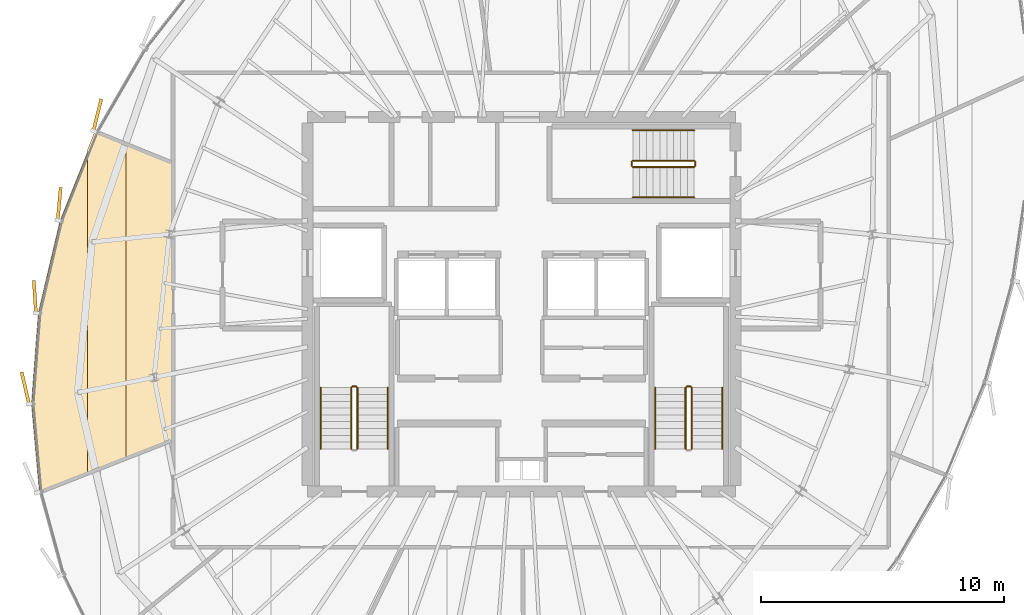
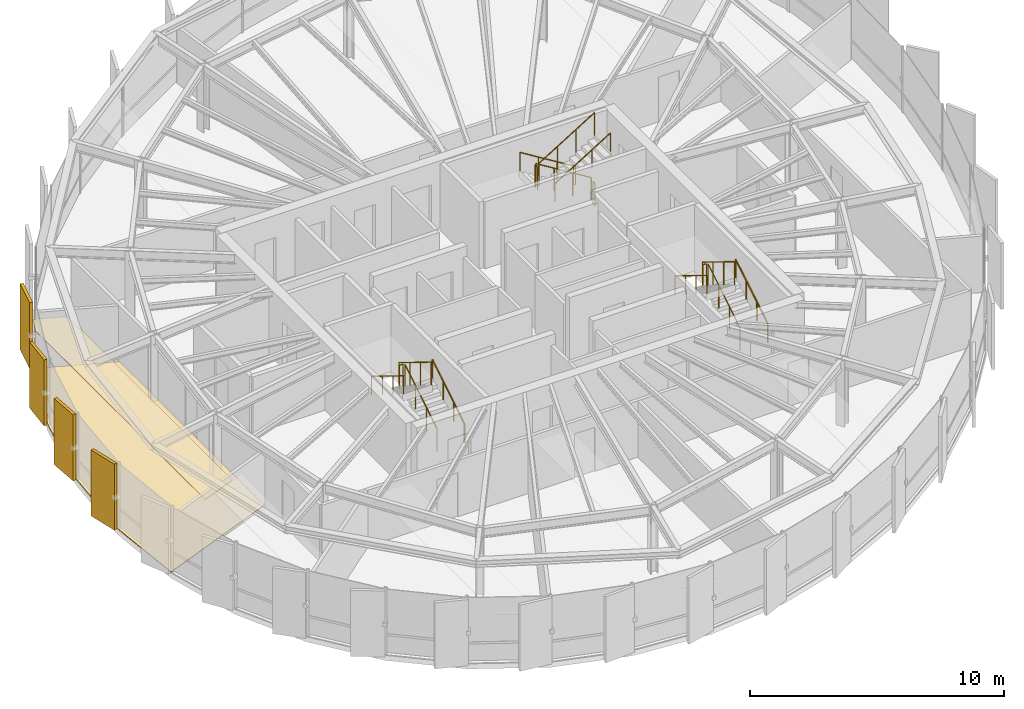
# One storey, part 33 of 34: 16 railings, 6 coverings.
"""IFC4 building model written with IfcOpenShell, lengths in metres."""

from ifc_helpers import new_model, si_unit, direction, frame, origin, origin_2d, place, context, subcontext, project, spatial, polyline, rectangle, circle, outline, extrude, source, transform, mapped, material, layer, layer_set, type_object, element, save


model = new_model("IFC4")

# Units and contexts
model_context = context("Model", 3, precision=1e-05, world=origin(), true_north=direction((0.0, 1.0)))
body_context = subcontext(model_context, "Body", "Model", "MODEL_VIEW")
ifc_project = project(units=[si_unit("LENGTHUNIT", "METRE"), si_unit("AREAUNIT", "SQUARE_METRE"), si_unit("VOLUMEUNIT", "CUBIC_METRE"), si_unit("PLANEANGLEUNIT", "RADIAN"), si_unit("MASSUNIT", "GRAM", prefix="KILO"), si_unit("THERMODYNAMICTEMPERATUREUNIT", "KELVIN")], contexts=[model_context])

# Site, building, storey
site_placement = place(None, origin())
site = spatial("IfcSite", under=ifc_project, at=site_placement, CompositionType="ELEMENT")
building_placement = place(site_placement, origin())
building = spatial("IfcBuilding", under=site, at=building_placement, Name="Kethvar Cultural Tower", CompositionType="ELEMENT")
storey_placement = place(building_placement, frame((0.0, 0.0, 259.449951171875)))
storey = spatial("IfcBuildingStorey", under=building, at=storey_placement, Name="L68", CompositionType="ELEMENT", Elevation=259.449951171875)

# Coverings
ifc_material_1 = material(Name="Acoustic Mineral Fibre Ceiling")
ifc_layer_1 = layer(ifc_material_1, 0.0400390625, Name="Acoustic Mineral Fibre Ceiling")
ifc_layer_set_1 = layer_set([ifc_layer_1], Name="Acoustic Mineral Fibre Ceiling (40 mm)")
covering_type_1 = type_object("IfcCoveringType", Name="CV-ACOUSTIC-CEIL", PredefinedType="CEILING", material=ifc_layer_set_1)
covering_1_placement = place(storey_placement, frame((0.0, 0.0, 2.340087890625)))
element("IfcCovering", 1, at=covering_1_placement, inside=storey, type_object=covering_type_1, Name="L68 Room 10 Acoustic Ceiling Panel", PredefinedType="CEILING", context=body_context, shape_type="SweptSolid", body=[
    extrude(outline(polyline([(29.24560546875, 34.9140625), (30.53125, 34.414794921875), (30.53125, 21.443115234375), (28.94140625, 20.823974609375), (28.94140625, 34.1533203125), (29.24560546875, 34.9140625)])), origin(), (0.0, 0.0, 1.0), 0.0400390625),
])
ifc_material_2 = material(Name="Honed Warm Limestone", Category="masonry")
ifc_layer_2 = layer(ifc_material_2, 0.030029296875, Name="Honed Warm Limestone", Category="masonry")
ifc_layer_set_2 = layer_set([ifc_layer_2], Name="Honed Warm Limestone (30 mm)")
covering_type_2 = type_object("IfcCoveringType", Name="CV-STONE-FLOOR", PredefinedType="FLOORING", material=ifc_layer_set_2)
covering_2_placement = place(storey_placement, origin())
element("IfcCovering", 2, at=covering_2_placement, inside=storey, type_object=covering_type_2, Name="L68 Room 10 Floor Finish", PredefinedType="FLOORING", context=body_context, shape_type="SweptSolid", body=[
    extrude(outline(polyline([(26.64111328125, 23.70654296875), (26.926513671875, 27.46484375), (27.81591796875, 31.2333984375), (29.275390625, 34.880615234375), (32.43994140625, 33.597900390625), (32.43994140625, 22.2294921875), (26.9658203125, 20.09765625), (26.64111328125, 23.70654296875)])), origin(), (0.0, 0.0, 1.0), 0.030029296875),
])

# Railings
ifc_material_3 = material(Name="Steel S355J2", Category="steel")
railing_type_1 = type_object("IfcRailingType", Name="RL-STAIR-GUARD", PredefinedType="BALUSTRADE", material=ifc_material_3)
railing_1_placement = place(storey_placement, frame((40.050048828125, 21.85009765625, 0.172607421875)))
element("IfcRailing", 3, at=railing_1_placement, inside=storey, type_object=railing_type_1, Name="L68 ST-01 stair guard 1", PredefinedType="BALUSTRADE", context=body_context, shape_type="SweptSolid", body=[
    extrude(circle(Radius=0.02392578125, at=origin_2d()), frame((0.0, 0.0, 1.09619140625), z_axis=(0.0, 0.851400495292, 0.524516154772), x_axis=(-1.0, 0.0, 0.0)), (0.0, 0.0, 1.0), 2.9599609375),
    extrude(circle(Radius=0.02099609375, at=origin_2d()), origin(), (0.0, 0.0, 1.0), 1.072021484375),
    extrude(circle(Radius=0.02099609375, at=origin_2d()), frame((0.0, 0.840087890625, 0.517578125)), (0.0, 0.0, 1.0), 1.072021484375),
    extrude(circle(Radius=0.02099609375, at=origin_2d()), frame((0.0, 1.679931640625, 1.034912109375)), (0.0, 0.0, 1.0), 1.072021484375),
    extrude(circle(Radius=0.02099609375, at=origin_2d()), frame((0.0, 2.52001953125, 1.552490234375)), (0.0, 0.0, 1.0), 1.072021484375),
])
railing_2_placement = place(storey_placement, frame((40.0, 24.419921875, 1.72509765625)))
element("IfcRailing", 4, at=railing_2_placement, inside=storey, type_object=railing_type_1, Name="L68 ST-01 stair guard 2", PredefinedType="BALUSTRADE", context=body_context, shape_type="SweptSolid", body=[
    extrude(circle(Radius=0.02392578125, at=origin_2d()), frame((0.0, 0.0, 1.09619140625), z_axis=(-1.0, 0.0, 0.0), x_axis=(0.0, -1.0, 0.0)), (0.0, 0.0, 1.0), 0.159912109375),
    extrude(circle(Radius=0.02099609375, at=origin_2d()), origin(), (0.0, 0.0, 1.0), 1.072021484375),
    extrude(circle(Radius=0.02099609375, at=origin_2d()), frame((-0.159912109375, 0.0, 0.0)), (0.0, 0.0, 1.0), 1.072021484375),
])
railing_3_placement = place(storey_placement, frame((39.7900390625, 24.3701171875, 1.8974609375)))
element("IfcRailing", 5, at=railing_3_placement, inside=storey, type_object=railing_type_1, Name="L68 ST-01 stair guard 3", PredefinedType="BALUSTRADE", context=body_context, shape_type="SweptSolid", body=[
    extrude(circle(Radius=0.02392578125, at=origin_2d()), frame((0.0, 0.0, 1.09619140625), z_axis=(0.0, -0.851400495292, 0.524516154772), x_axis=(1.0, 0.0, 0.0)), (0.0, 0.0, 1.0), 2.9599609375),
    extrude(circle(Radius=0.02099609375, at=origin_2d()), origin(), (0.0, 0.0, 1.0), 1.072021484375),
    extrude(circle(Radius=0.02099609375, at=origin_2d()), frame((0.0, -0.840087890625, 0.517578125)), (0.0, 0.0, 1.0), 1.072021484375),
    extrude(circle(Radius=0.02099609375, at=origin_2d()), frame((0.0, -1.679931640625, 1.034912109375)), (0.0, 0.0, 1.0), 1.072021484375),
    extrude(circle(Radius=0.02099609375, at=origin_2d()), frame((0.0, -2.52001953125, 1.552490234375)), (0.0, 0.0, 1.0), 1.072021484375),
])
railing_4_placement = place(storey_placement, frame((53.81005859375, 21.85009765625, 0.172607421875)))
element("IfcRailing", 6, at=railing_4_placement, inside=storey, type_object=railing_type_1, Name="L68 ST-02 stair guard 1", PredefinedType="BALUSTRADE", context=body_context, shape_type="SweptSolid", body=[
    extrude(circle(Radius=0.02392578125, at=origin_2d()), frame((0.0, 0.0, 1.09619140625), z_axis=(0.0, 0.851400495292, 0.524516154772), x_axis=(-1.0, 0.0, 0.0)), (0.0, 0.0, 1.0), 2.9599609375),
    extrude(circle(Radius=0.02099609375, at=origin_2d()), origin(), (0.0, 0.0, 1.0), 1.072021484375),
    extrude(circle(Radius=0.02099609375, at=origin_2d()), frame((0.0, 0.840087890625, 0.517578125)), (0.0, 0.0, 1.0), 1.072021484375),
    extrude(circle(Radius=0.02099609375, at=origin_2d()), frame((0.0, 1.679931640625, 1.034912109375)), (0.0, 0.0, 1.0), 1.072021484375),
    extrude(circle(Radius=0.02099609375, at=origin_2d()), frame((0.0, 2.52001953125, 1.552490234375)), (0.0, 0.0, 1.0), 1.072021484375),
])
railing_5_placement = place(storey_placement, frame((53.760009765625, 24.419921875, 1.72509765625)))
element("IfcRailing", 7, at=railing_5_placement, inside=storey, type_object=railing_type_1, Name="L68 ST-02 stair guard 2", PredefinedType="BALUSTRADE", context=body_context, shape_type="SweptSolid", body=[
    extrude(circle(Radius=0.02392578125, at=origin_2d()), frame((0.0, 0.0, 1.09619140625), z_axis=(-1.0, 0.0, 0.0), x_axis=(0.0, -1.0, 0.0)), (0.0, 0.0, 1.0), 0.159912109375),
    extrude(circle(Radius=0.02099609375, at=origin_2d()), origin(), (0.0, 0.0, 1.0), 1.072021484375),
    extrude(circle(Radius=0.02099609375, at=origin_2d()), frame((-0.159912109375, 0.0, 0.0)), (0.0, 0.0, 1.0), 1.072021484375),
])
railing_6_placement = place(storey_placement, frame((53.550048828125, 24.3701171875, 1.8974609375)))
element("IfcRailing", 8, at=railing_6_placement, inside=storey, type_object=railing_type_1, Name="L68 ST-02 stair guard 3", PredefinedType="BALUSTRADE", context=body_context, shape_type="SweptSolid", body=[
    extrude(circle(Radius=0.02392578125, at=origin_2d()), frame((0.0, 0.0, 1.09619140625), z_axis=(0.0, -0.851400495292, 0.524516154772), x_axis=(1.0, 0.0, 0.0)), (0.0, 0.0, 1.0), 2.9599609375),
    extrude(circle(Radius=0.02099609375, at=origin_2d()), origin(), (0.0, 0.0, 1.0), 1.072021484375),
    extrude(circle(Radius=0.02099609375, at=origin_2d()), frame((0.0, -0.840087890625, 0.517578125)), (0.0, 0.0, 1.0), 1.072021484375),
    extrude(circle(Radius=0.02099609375, at=origin_2d()), frame((0.0, -1.679931640625, 1.034912109375)), (0.0, 0.0, 1.0), 1.072021484375),
    extrude(circle(Radius=0.02099609375, at=origin_2d()), frame((0.0, -2.52001953125, 1.552490234375)), (0.0, 0.0, 1.0), 1.072021484375),
])
railing_7_placement = place(storey_placement, frame((53.89990234375, 33.7099609375, 0.172607421875)))
element("IfcRailing", 9, at=railing_7_placement, inside=storey, type_object=railing_type_1, Name="L68 ST-03 stair guard 1", PredefinedType="BALUSTRADE", context=body_context, shape_type="SweptSolid", body=[
    extrude(circle(Radius=0.02392578125, at=origin_2d()), frame((0.0, 0.0, 1.09619140625), z_axis=(-0.851400495292, 0.0, 0.524516154772), x_axis=(0.0, -1.0, 0.0)), (0.0, 0.0, 1.0), 2.9599609375),
    extrude(circle(Radius=0.02099609375, at=origin_2d()), origin(), (0.0, 0.0, 1.0), 1.072021484375),
    extrude(circle(Radius=0.02099609375, at=origin_2d()), frame((-0.840087890625, 0.0, 0.517578125)), (0.0, 0.0, 1.0), 1.072021484375),
    extrude(circle(Radius=0.02099609375, at=origin_2d()), frame((-1.679931640625, 0.0, 1.034912109375)), (0.0, 0.0, 1.0), 1.072021484375),
    extrude(circle(Radius=0.02099609375, at=origin_2d()), frame((-2.52001953125, 0.0, 1.552490234375)), (0.0, 0.0, 1.0), 1.072021484375),
])
railing_8_placement = place(storey_placement, frame((51.330078125, 33.659912109375, 1.72509765625)))
element("IfcRailing", 10, at=railing_8_placement, inside=storey, type_object=railing_type_1, Name="L68 ST-03 stair guard 2", PredefinedType="BALUSTRADE", context=body_context, shape_type="SweptSolid", body=[
    extrude(circle(Radius=0.02392578125, at=origin_2d()), frame((0.0, 0.0, 1.09619140625), z_axis=(0.0, -1.0, 0.0), x_axis=(1.0, 0.0, 0.0)), (0.0, 0.0, 1.0), 0.159912109375),
    extrude(circle(Radius=0.02099609375, at=origin_2d()), origin(), (0.0, 0.0, 1.0), 1.072021484375),
    extrude(circle(Radius=0.02099609375, at=origin_2d()), frame((0.0, -0.159912109375, 0.0)), (0.0, 0.0, 1.0), 1.072021484375),
])
railing_9_placement = place(storey_placement, frame((51.3798828125, 33.449951171875, 1.8974609375)))
element("IfcRailing", 11, at=railing_9_placement, inside=storey, type_object=railing_type_1, Name="L68 ST-03 stair guard 3", PredefinedType="BALUSTRADE", context=body_context, shape_type="SweptSolid", body=[
    extrude(circle(Radius=0.02392578125, at=origin_2d()), frame((0.0, 0.0, 1.09619140625), z_axis=(0.851400495292, 0.0, 0.524516154772), x_axis=(0.0, 1.0, 0.0)), (0.0, 0.0, 1.0), 2.9599609375),
    extrude(circle(Radius=0.02099609375, at=origin_2d()), origin(), (0.0, 0.0, 1.0), 1.072021484375),
    extrude(circle(Radius=0.02099609375, at=origin_2d()), frame((0.840087890625, 0.0, 0.517578125)), (0.0, 0.0, 1.0), 1.072021484375),
    extrude(circle(Radius=0.02099609375, at=origin_2d()), frame((1.679931640625, 0.0, 1.034912109375)), (0.0, 0.0, 1.0), 1.072021484375),
    extrude(circle(Radius=0.02099609375, at=origin_2d()), frame((2.52001953125, 0.0, 1.552490234375)), (0.0, 0.0, 1.0), 1.072021484375),
])
railing_10_placement = place(storey_placement, frame((53.949951171875, 33.659912109375, 0.0)))
element("IfcRailing", 12, at=railing_10_placement, inside=storey, type_object=railing_type_1, Name="L68 ST-03 stair guard 4", PredefinedType="BALUSTRADE", context=body_context, shape_type="SweptSolid", body=[
    extrude(circle(Radius=0.02392578125, at=origin_2d()), frame((0.0, 0.0, 1.09619140625), z_axis=(0.0, -1.0, 0.0), x_axis=(1.0, 0.0, 0.0)), (0.0, 0.0, 1.0), 0.159912109375),
    extrude(circle(Radius=0.02099609375, at=origin_2d()), origin(), (0.0, 0.0, 1.0), 1.072021484375),
    extrude(circle(Radius=0.02099609375, at=origin_2d()), frame((0.0, -0.159912109375, 0.0)), (0.0, 0.0, 1.0), 1.072021484375),
])
railing_type_2 = type_object("IfcRailingType", Name="RL-STAIR-HANDRAIL", PredefinedType="HANDRAIL", material=ifc_material_3)
railing_11_placement = place(storey_placement, frame((41.300048828125, 21.85009765625, 0.172607421875)))
element("IfcRailing", 13, at=railing_11_placement, inside=storey, type_object=railing_type_2, Name="L68 ST-01 stair handrail 1", PredefinedType="HANDRAIL", context=body_context, shape_type="SweptSolid", body=[
    extrude(circle(Radius=0.02392578125, at=origin_2d()), frame((0.0, 0.0, 0.8759765625), z_axis=(0.0, 0.851400495292, 0.524516154772), x_axis=(-1.0, 0.0, 0.0)), (0.0, 0.0, 1.0), 2.9599609375),
    extrude(circle(Radius=0.02099609375, at=origin_2d()), origin(), (0.0, 0.0, 1.0), 0.851806640625),
    extrude(circle(Radius=0.02099609375, at=origin_2d()), frame((0.0, 0.840087890625, 0.517578125)), (0.0, 0.0, 1.0), 0.851806640625),
    extrude(circle(Radius=0.02099609375, at=origin_2d()), frame((0.0, 1.679931640625, 1.034912109375)), (0.0, 0.0, 1.0), 0.851806640625),
    extrude(circle(Radius=0.02099609375, at=origin_2d()), frame((0.0, 2.52001953125, 1.552490234375)), (0.0, 0.0, 1.0), 0.851806640625),
])
railing_12_placement = place(storey_placement, frame((38.5400390625, 24.3701171875, 1.8974609375)))
element("IfcRailing", 14, at=railing_12_placement, inside=storey, type_object=railing_type_2, Name="L68 ST-01 stair handrail 2", PredefinedType="HANDRAIL", context=body_context, shape_type="SweptSolid", body=[
    extrude(circle(Radius=0.02392578125, at=origin_2d()), frame((0.0, 0.0, 0.8759765625), z_axis=(0.0, -0.851400495292, 0.524516154772), x_axis=(1.0, 0.0, 0.0)), (0.0, 0.0, 1.0), 2.9599609375),
    extrude(circle(Radius=0.02099609375, at=origin_2d()), origin(), (0.0, 0.0, 1.0), 0.851806640625),
    extrude(circle(Radius=0.02099609375, at=origin_2d()), frame((0.0, -0.840087890625, 0.517578125)), (0.0, 0.0, 1.0), 0.851806640625),
    extrude(circle(Radius=0.02099609375, at=origin_2d()), frame((0.0, -1.679931640625, 1.034912109375)), (0.0, 0.0, 1.0), 0.851806640625),
    extrude(circle(Radius=0.02099609375, at=origin_2d()), frame((0.0, -2.52001953125, 1.552490234375)), (0.0, 0.0, 1.0), 0.851806640625),
])
railing_13_placement = place(storey_placement, frame((55.06005859375, 21.85009765625, 0.172607421875)))
element("IfcRailing", 15, at=railing_13_placement, inside=storey, type_object=railing_type_2, Name="L68 ST-02 stair handrail 1", PredefinedType="HANDRAIL", context=body_context, shape_type="SweptSolid", body=[
    extrude(circle(Radius=0.02392578125, at=origin_2d()), frame((0.0, 0.0, 0.8759765625), z_axis=(0.0, 0.851400495292, 0.524516154772), x_axis=(-1.0, 0.0, 0.0)), (0.0, 0.0, 1.0), 2.9599609375),
    extrude(circle(Radius=0.02099609375, at=origin_2d()), origin(), (0.0, 0.0, 1.0), 0.851806640625),
    extrude(circle(Radius=0.02099609375, at=origin_2d()), frame((0.0, 0.840087890625, 0.517578125)), (0.0, 0.0, 1.0), 0.851806640625),
    extrude(circle(Radius=0.02099609375, at=origin_2d()), frame((0.0, 1.679931640625, 1.034912109375)), (0.0, 0.0, 1.0), 0.851806640625),
    extrude(circle(Radius=0.02099609375, at=origin_2d()), frame((0.0, 2.52001953125, 1.552490234375)), (0.0, 0.0, 1.0), 0.851806640625),
])
railing_14_placement = place(storey_placement, frame((52.300048828125, 24.3701171875, 1.8974609375)))
element("IfcRailing", 16, at=railing_14_placement, inside=storey, type_object=railing_type_2, Name="L68 ST-02 stair handrail 2", PredefinedType="HANDRAIL", context=body_context, shape_type="SweptSolid", body=[
    extrude(circle(Radius=0.02392578125, at=origin_2d()), frame((0.0, 0.0, 0.8759765625), z_axis=(0.0, -0.851400495292, 0.524516154772), x_axis=(1.0, 0.0, 0.0)), (0.0, 0.0, 1.0), 2.9599609375),
    extrude(circle(Radius=0.02099609375, at=origin_2d()), origin(), (0.0, 0.0, 1.0), 0.851806640625),
    extrude(circle(Radius=0.02099609375, at=origin_2d()), frame((0.0, -0.840087890625, 0.517578125)), (0.0, 0.0, 1.0), 0.851806640625),
    extrude(circle(Radius=0.02099609375, at=origin_2d()), frame((0.0, -1.679931640625, 1.034912109375)), (0.0, 0.0, 1.0), 0.851806640625),
    extrude(circle(Radius=0.02099609375, at=origin_2d()), frame((0.0, -2.52001953125, 1.552490234375)), (0.0, 0.0, 1.0), 0.851806640625),
])
railing_15_placement = place(storey_placement, frame((53.89990234375, 34.9599609375, 0.172607421875)))
element("IfcRailing", 17, at=railing_15_placement, inside=storey, type_object=railing_type_2, Name="L68 ST-03 stair handrail 1", PredefinedType="HANDRAIL", context=body_context, shape_type="SweptSolid", body=[
    extrude(circle(Radius=0.02392578125, at=origin_2d()), frame((0.0, 0.0, 0.8759765625), z_axis=(-0.851400495292, 0.0, 0.524516154772), x_axis=(0.0, -1.0, 0.0)), (0.0, 0.0, 1.0), 2.9599609375),
    extrude(circle(Radius=0.02099609375, at=origin_2d()), origin(), (0.0, 0.0, 1.0), 0.851806640625),
    extrude(circle(Radius=0.02099609375, at=origin_2d()), frame((-0.840087890625, 0.0, 0.517578125)), (0.0, 0.0, 1.0), 0.851806640625),
    extrude(circle(Radius=0.02099609375, at=origin_2d()), frame((-1.679931640625, 0.0, 1.034912109375)), (0.0, 0.0, 1.0), 0.851806640625),
    extrude(circle(Radius=0.02099609375, at=origin_2d()), frame((-2.52001953125, 0.0, 1.552490234375)), (0.0, 0.0, 1.0), 0.851806640625),
])
railing_16_placement = place(storey_placement, frame((51.3798828125, 32.199951171875, 1.8974609375)))
element("IfcRailing", 18, at=railing_16_placement, inside=storey, type_object=railing_type_2, Name="L68 ST-03 stair handrail 2", PredefinedType="HANDRAIL", context=body_context, shape_type="SweptSolid", body=[
    extrude(circle(Radius=0.02392578125, at=origin_2d()), frame((0.0, 0.0, 0.8759765625), z_axis=(0.851400495292, 0.0, 0.524516154772), x_axis=(0.0, 1.0, 0.0)), (0.0, 0.0, 1.0), 2.9599609375),
    extrude(circle(Radius=0.02099609375, at=origin_2d()), origin(), (0.0, 0.0, 1.0), 0.851806640625),
    extrude(circle(Radius=0.02099609375, at=origin_2d()), frame((0.840087890625, 0.0, 0.517578125)), (0.0, 0.0, 1.0), 0.851806640625),
    extrude(circle(Radius=0.02099609375, at=origin_2d()), frame((1.679931640625, 0.0, 1.034912109375)), (0.0, 0.0, 1.0), 0.851806640625),
    extrude(circle(Radius=0.02099609375, at=origin_2d()), frame((2.52001953125, 0.0, 1.552490234375)), (0.0, 0.0, 1.0), 0.851806640625),
])

# Coverings
ifc_material_4 = material(Name="Extruded Architectural Terracotta", Category="masonry")
ifc_layer_3 = layer(ifc_material_4, 0.135009765625, Name="Extruded Architectural Terracotta", Category="masonry")
ifc_layer_set_3 = layer_set([ifc_layer_3], Name="Extruded Architectural Terracotta (135 mm)")
covering_type_3 = type_object("IfcCoveringType", Name="Terracotta Facade Fin FIN-03", PredefinedType="CLADDING", material=ifc_layer_set_3)
shared_shape = source(origin(), body_context, "Body", "SweptSolid", [
    extrude(rectangle(XDim=1.35009765625, YDim=0.135009765625, at=origin_2d()), origin(), (0.0, 0.0, 1.0), 3.169921875),
])
for number, where, z_axis, x_axis, name in (
    (19, (29.35107421875, 35.591796875, 0.02001953125), (0.0, 0.0, 1.0), (0.238702948851, 0.971092633177, 0.0), "L68 Vertical Terracotta Fin 2.5"),
    (20, (27.781005859375, 31.929931640625, 0.02001953125), (0.0, 0.0, 1.0), (0.092023008338, 0.995756880939, 0.0), "L68 Vertical Terracotta Fin 2.6"),
    (21, (26.781005859375, 28.112060546875, 0.02001953125), (0.0, 0.0, 1.0), (-0.063835616056, 0.997960427133, 0.0), "L68 Vertical Terracotta Fin 3.1"),
    (22, (26.3876953125, 24.356689453125, 0.02001953125), (0.0, 0.0, 1.0), (-0.227331215647, 0.973817497477, 0.0), "L68 Vertical Terracotta Fin 3.2"),
):
    element("IfcCovering", number, at=place(storey_placement, frame(where, z_axis=z_axis, x_axis=x_axis)), inside=storey, type_object=covering_type_3, Name=name, PredefinedType="CLADDING", context=body_context, shape_type="MappedRepresentation", body=[
        mapped(shared_shape, transform((0.0, 0.0, 0.0), scale=1.0)),
    ])

save(model, "model.ifc")
